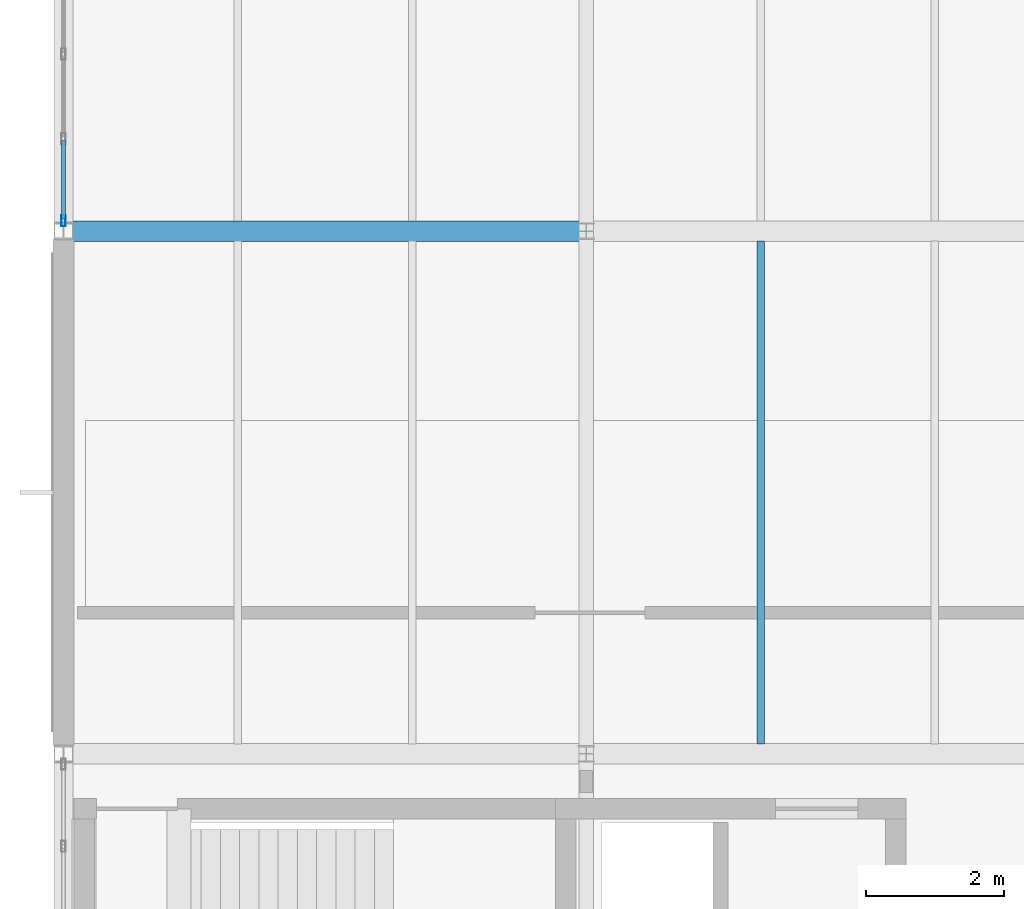
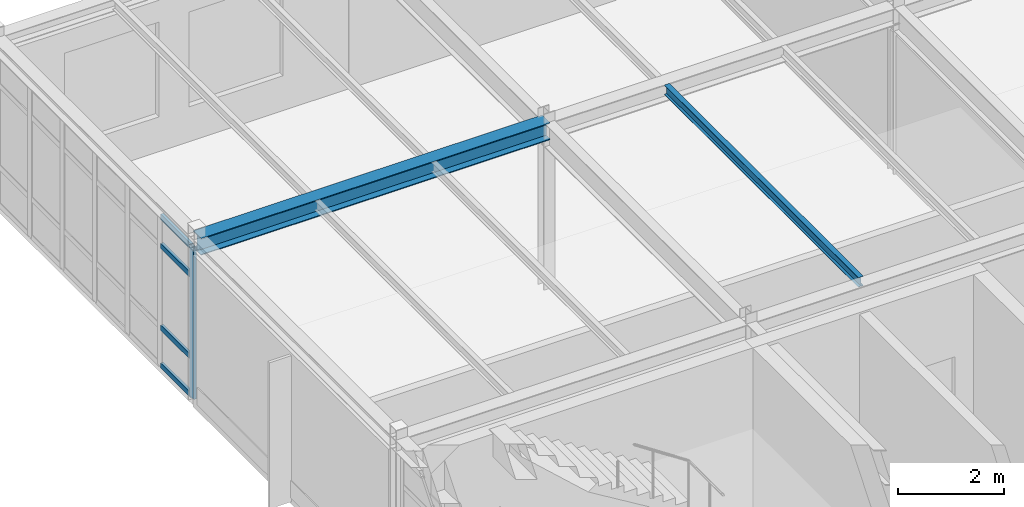
# One storey, part 31 of 189: 5 members, 2 beams, 1 element without a shape of its own.
"""IFC4 building model written with IfcOpenShell, lengths in metres."""

from ifc_helpers import new_model, si_unit, direction, frame, origin, origin_2d, place, context, subcontext, project, spatial, hollow_rectangle, i_section, extrude, material, layer, layer_set, material_profile, profile_set, type_object, element, aggregate, save


model = new_model("IFC4")

# Units and contexts
model_context = context("Model", 3, precision=1e-05, world=origin(), true_north=direction((0.0, 1.0)))
body_context = subcontext(model_context, "Body", "Model", "MODEL_VIEW")
ifc_project = project(units=[si_unit("LENGTHUNIT", "METRE"), si_unit("AREAUNIT", "SQUARE_METRE"), si_unit("VOLUMEUNIT", "CUBIC_METRE"), si_unit("PLANEANGLEUNIT", "RADIAN"), si_unit("MASSUNIT", "GRAM", prefix="KILO")], contexts=[model_context])

# Site, building, storey
site_placement = place(None, origin())
site = spatial("IfcSite", under=ifc_project, at=site_placement, CompositionType="ELEMENT")
building_placement = place(site_placement, origin())
building = spatial("IfcBuilding", under=site, at=building_placement, Name="Montecoro Central Library", CompositionType="ELEMENT")
storey_placement = place(building_placement, frame((0.0, 0.0, 9.179931640625)))
storey = spatial("IfcBuildingStorey", under=building, at=storey_placement, Name="L02", CompositionType="ELEMENT", Elevation=9.179931640625)

# Beams
ifc_material_1 = material(Name="Steel S355", Category="steel")
ifc_material_profile_1 = material_profile(ifc_material_1, i_section(OverallWidth=0.300048828125, OverallDepth=0.389892578125, WebThickness=0.010986328125, FlangeThickness=0.01904296875, at=origin_2d()), Name="HEA 400")
ifc_profile_set_1 = profile_set([ifc_material_profile_1], Name="Steel S355")
beam_type_1 = type_object("IfcBeamType", Name="BM-G-HEA400", PredefinedType="USERDEFINED", material=ifc_profile_set_1)
beam_1_placement = place(storey_placement, frame((5.0048828125, 27.800048828125, 3.630126953125), z_axis=(1.0, 0.0, 0.0), x_axis=(0.0, 1.0, 0.0)))
element("IfcBeam", 1, at=beam_1_placement, inside=storey, type_object=beam_type_1, Name="V3-L02-BX-12-D", ObjectType="GIRDER", PredefinedType="USERDEFINED", context=body_context, shape_type="SweptSolid", body=[
    extrude(i_section(OverallWidth=0.300048828125, OverallDepth=0.389892578125, WebThickness=0.010986328125, FlangeThickness=0.01904296875, at=origin_2d()), origin(), (0.0, 0.0, 1.0), 7.590087890625),
])
ifc_material_profile_2 = material_profile(ifc_material_1, i_section(OverallWidth=0.110107421875, OverallDepth=0.219970703125, WebThickness=0.005859375, FlangeThickness=0.00927734375, at=origin_2d()), Name="IPE 220")
ifc_profile_set_2 = profile_set([ifc_material_profile_2], Name="Steel S355")
beam_type_2 = type_object("IfcBeamType", Name="BM-J-IPE220", PredefinedType="JOIST", material=ifc_profile_set_2)
beam_2_placement = place(storey_placement, frame((15.133056640625, 20.346923828125, 3.715087890625), z_axis=(0.0, 1.0, 0.0), x_axis=(-1.0, 0.0, 0.0)))
element("IfcBeam", 2, at=beam_2_placement, inside=storey, type_object=beam_type_2, Name="V3-L02-JS-23-CD-1", PredefinedType="JOIST", context=body_context, shape_type="SweptSolid", body=[
    extrude(i_section(OverallWidth=0.110107421875, OverallDepth=0.219970703125, WebThickness=0.005859375, FlangeThickness=0.00927734375, at=origin_2d()), origin(), (0.0, 0.0, 1.0), 7.30615234375),
])

# Curtain wall, members
ifc_material_2 = material(Name="Bronze-anodised aluminium and low-E glazing", Category="aluminium")
ifc_layer = layer(ifc_material_2, 0.159912109375)
ifc_layer_set = layer_set([ifc_layer], Name="Bronze-anodised aluminium and low-E glazing")
curtain_wall_type = type_object("IfcCurtainWallType", Name="CWT-035", PredefinedType="NOTDEFINED", material=ifc_layer_set)
curtain_wall_placement = place(storey_placement, origin())
curtain_wall = element("IfcCurtainWall", 3, at=curtain_wall_placement, inside=storey, type_object=curtain_wall_type, Name="V3-L02-CW-W3", PredefinedType="NOTDEFINED")
ifc_material_3 = material(Name="Bronze-anodised aluminium", Category="aluminium")
ifc_material_profile_3 = material_profile(ifc_material_3, hollow_rectangle(XDim=0.06005859375, YDim=0.159912109375, WallThickness=0.00390625, at=origin_2d()), Name="CWM 160x60x4.0")
ifc_profile_set_3 = profile_set([ifc_material_profile_3], Name="Bronze-anodised aluminium")
member_type_1 = type_object("IfcMemberType", Name="CWM-BRZ-60", PredefinedType="MULLION", material=ifc_profile_set_3)
member_1_placement = place(storey_placement, frame((5.0, 27.947998046875, 0.0), z_axis=(0.0, 0.0, 1.0), x_axis=(1.0, 0.0, 0.0)))
member_1 = element("IfcMember", 4, at=member_1_placement, type_object=member_type_1, Name="CW-035 mullion 7", PredefinedType="MULLION", context=body_context, shape_type="SweptSolid", body=[
    extrude(hollow_rectangle(XDim=0.06005859375, YDim=0.159912109375, WallThickness=0.00390625, at=origin_2d()), origin(), (0.0, 0.0, 1.0), 3.47998046875),
])
ifc_material_profile_4 = material_profile(ifc_material_3, hollow_rectangle(XDim=0.06005859375, YDim=0.1201171875, WallThickness=0.00390625, at=origin_2d()), Name="CWT 120x60x4.0")
ifc_profile_set_4 = profile_set([ifc_material_profile_4], Name="Bronze-anodised aluminium")
member_type_2 = type_object("IfcMemberType", Name="CWT-BRZ-60", PredefinedType="USERDEFINED", material=ifc_profile_set_4)
member_2_placement = place(storey_placement, frame((5.0, 29.115234375, 0.030029296875), z_axis=(0.0, -1.0, 0.0), x_axis=(1.0, 0.0, 0.0)))
member_2 = element("IfcMember", 5, at=member_2_placement, type_object=member_type_2, Name="CW-035 transom 6.1", ObjectType="TRANSOM", PredefinedType="USERDEFINED", context=body_context, shape_type="SweptSolid", body=[
    extrude(hollow_rectangle(XDim=0.06005859375, YDim=0.1201171875, WallThickness=0.00390625, at=origin_2d()), origin(), (0.0, 0.0, 1.0), 1.13720703125),
])
member_3_placement = place(storey_placement, frame((5.0, 29.115234375, 0.900146484375), z_axis=(0.0, -1.0, 0.0), x_axis=(1.0, 0.0, 0.0)))
member_3 = element("IfcMember", 6, at=member_3_placement, type_object=member_type_2, Name="CW-035 transom 6.2", ObjectType="TRANSOM", PredefinedType="USERDEFINED", context=body_context, shape_type="SweptSolid", body=[
    extrude(hollow_rectangle(XDim=0.06005859375, YDim=0.1201171875, WallThickness=0.00390625, at=origin_2d()), origin(), (0.0, 0.0, 1.0), 1.13720703125),
])
member_4_placement = place(storey_placement, frame((5.0, 29.115234375, 2.780029296875), z_axis=(0.0, -1.0, 0.0), x_axis=(1.0, 0.0, 0.0)))
member_4 = element("IfcMember", 7, at=member_4_placement, type_object=member_type_2, Name="CW-035 transom 6.3", ObjectType="TRANSOM", PredefinedType="USERDEFINED", context=body_context, shape_type="SweptSolid", body=[
    extrude(hollow_rectangle(XDim=0.06005859375, YDim=0.1201171875, WallThickness=0.00390625, at=origin_2d()), origin(), (0.0, 0.0, 1.0), 1.13720703125),
])
member_5_placement = place(storey_placement, frame((5.0, 29.115234375, 3.449951171875), z_axis=(0.0, -1.0, 0.0), x_axis=(1.0, 0.0, 0.0)))
member_5 = element("IfcMember", 8, at=member_5_placement, type_object=member_type_2, Name="CW-035 transom 6.4", ObjectType="TRANSOM", PredefinedType="USERDEFINED", context=body_context, shape_type="SweptSolid", body=[
    extrude(hollow_rectangle(XDim=0.06005859375, YDim=0.1201171875, WallThickness=0.00390625, at=origin_2d()), origin(), (0.0, 0.0, 1.0), 1.13720703125),
])
aggregate(curtain_wall, [member_1, member_2, member_3, member_4, member_5])

save(model, "model.ifc")
